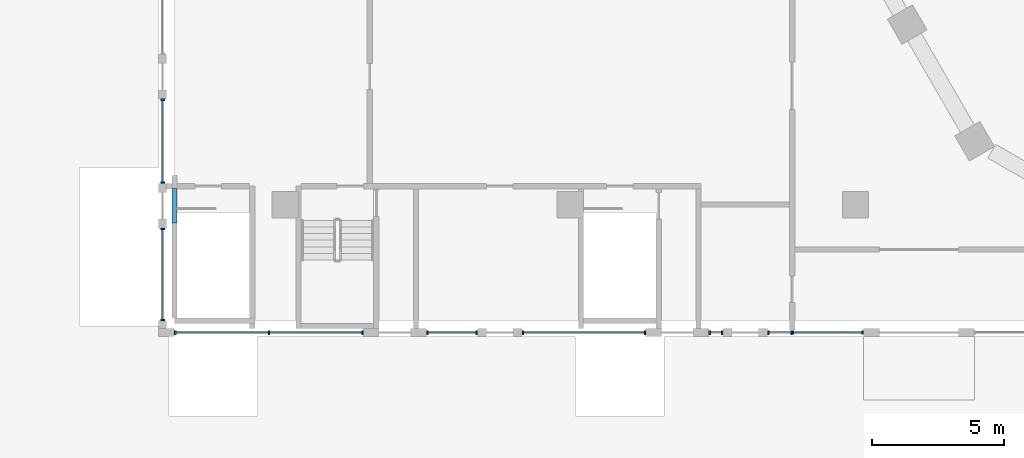
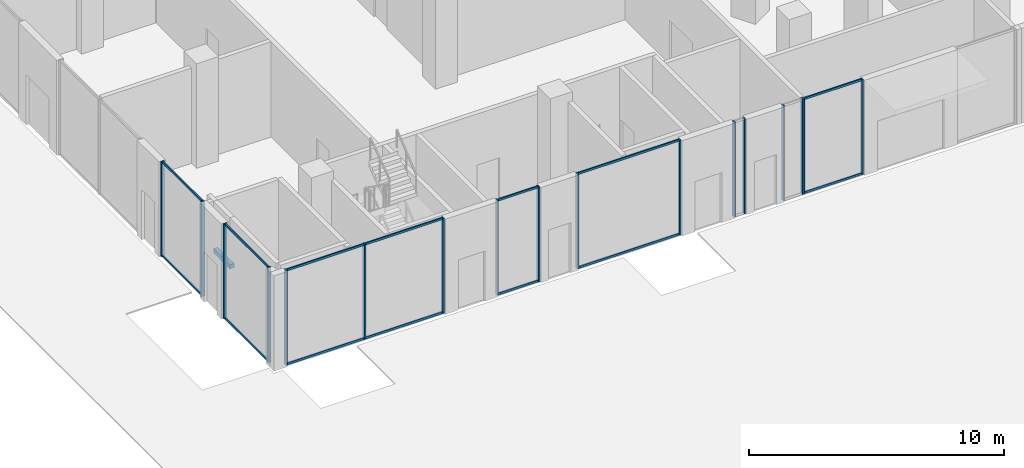
# One storey, part 2 of 57: 31 members, 1 beam, 8 elements without a shape of their own.
"""IFC4 building model written with IfcOpenShell, lengths in metres."""

import ifcopenshell
import ifcopenshell.guid

model = None  # the IFC model being written
_history = None  # IfcOwnerHistory: only IFC2X3 demands one
_inside = {}  # id of a spatial element -> (the spatial element, [elements in it])
_under = {}  # id of a project, library or spatial element -> (it, [spatial elements below it])
_declared = {}  # id of a project -> (the project, [libraries it declares])
_typed = {}  # id of a type object -> (the type object, [elements of that type])
_made_of = {}  # id of a material, layer set ... -> (it, [elements and type objects made of it])


def new_model(schema):
    """Start an empty IFC model of exactly this schema.

    Asked for "IFC4X3", IfcOpenShell would pick the latest addendum, in which some entities
    have other attributes; the version numbers below select the first issue.
    IFC2X3 requires an IfcOwnerHistory on every rooted entity: one is made here for all.
    """
    global model, _history
    if schema == "IFC4X3":
        model = ifcopenshell.file(schema_version=(4, 3, 0, 0))
    else:
        model = ifcopenshell.file(schema=schema)
    _inside.clear()
    _under.clear()
    _declared.clear()
    _typed.clear()
    _made_of.clear()
    _history = None
    if model.schema == "IFC2X3":
        org = make("IfcOrganization", Name="unknown")
        user = make(
            "IfcPersonAndOrganization",
            ThePerson=make("IfcPerson", FamilyName="unknown"),
            TheOrganization=org,
        )
        app = make(
            "IfcApplication",
            ApplicationDeveloper=org,
            Version="unknown",
            ApplicationFullName="unknown",
            ApplicationIdentifier="unknown",
        )
        _history = make(
            "IfcOwnerHistory",
            OwningUser=user,
            OwningApplication=app,
            ChangeAction="ADDED",
            CreationDate=0,
        )
    return model


def make(cls, **values):
    """One entity of the class cls with the attributes given. An attribute that is None is left unset."""
    return model.create_entity(
        cls, **{name: value for name, value in values.items() if value is not None}
    )


def rooted(cls, **values):
    """An entity with a GlobalId (a new one), such as an element, a storey or a relation."""
    return make(cls, GlobalId=ifcopenshell.guid.new(), OwnerHistory=_history, **values)


def si_unit(unit_type, name, prefix=None):
    """IfcSIUnit, for example si_unit("LENGTHUNIT", "METRE", prefix="MILLI")."""
    return make("IfcSIUnit", UnitType=unit_type, Prefix=prefix, Name=name)


def assignment(units):
    """IfcUnitAssignment: the units of a project."""
    return None if units is None else make("IfcUnitAssignment", Units=units)


def point(xyz):
    """IfcCartesianPoint."""
    return None if xyz is None else make("IfcCartesianPoint", Coordinates=xyz)


def direction(xyz):
    """IfcDirection."""
    return None if xyz is None else make("IfcDirection", DirectionRatios=xyz)


def frame(location, z_axis=None, x_axis=None):
    """IfcAxis2Placement3D, a coordinate frame: its origin and axes. An axis left out is left unset."""
    return make(
        "IfcAxis2Placement3D",
        Location=point(location),
        Axis=direction(z_axis),
        RefDirection=direction(x_axis),
    )


def frame_2d(location, x_axis=None):
    """IfcAxis2Placement2D, a coordinate frame in the plane: its origin and x axis."""
    return make(
        "IfcAxis2Placement2D", Location=point(location), RefDirection=direction(x_axis)
    )


def origin():
    """The frame at (0, 0, 0) with its axes left unset."""
    return frame((0.0, 0.0, 0.0))


def origin_2d():
    """The frame at (0, 0) in the plane with its x axis left unset."""
    return frame_2d((0.0, 0.0))


def place(relative_to, where):
    """IfcLocalPlacement: puts the frame where relative to a parent placement (None: the world)."""
    return make(
        "IfcLocalPlacement", PlacementRelTo=relative_to, RelativePlacement=where
    )


def context(
    kind, dimensions, precision=None, world=None, true_north=None, identifier=None
):
    """IfcGeometricRepresentationContext, for example the 3D "Model" context."""
    return make(
        "IfcGeometricRepresentationContext",
        ContextIdentifier=identifier,
        ContextType=kind,
        CoordinateSpaceDimension=dimensions,
        Precision=precision,
        WorldCoordinateSystem=world,
        TrueNorth=true_north,
    )


def subcontext(parent, identifier, kind, view, scale=None):
    """IfcGeometricRepresentationSubContext, for example "Body" below "Model"."""
    return make(
        "IfcGeometricRepresentationSubContext",
        ContextIdentifier=identifier,
        ContextType=kind,
        ParentContext=parent,
        TargetScale=scale,
        TargetView=view,
    )


def project(units=None, contexts=None):
    """IfcProject with its units and contexts."""
    return rooted(
        "IfcProject",
        Name="project",
        RepresentationContexts=contexts,
        UnitsInContext=assignment(units),
    )


def spatial(cls, under=None, at=None, **own):
    """A site, building, storey or space (cls), placed at a placement, below another one or the project."""
    s = rooted(cls, ObjectPlacement=at, **own)
    if under is not None:
        _under.setdefault(under.id(), (under, []))[1].append(s)
    return s


def profile(cls, at=None, kind="AREA", **sizes):
    """A parametric profile (cls). Its sizes go by their IFC names, for example OverallWidth=200.0."""
    return make(cls, ProfileType=kind, Position=at, **sizes)


def rectangle(**sizes):
    """IfcRectangleProfileDef."""
    return profile("IfcRectangleProfileDef", **sizes)


def hollow_rectangle(**sizes):
    """IfcRectangleHollowProfileDef."""
    return profile("IfcRectangleHollowProfileDef", **sizes)


def extrude(swept, where, along, depth):
    """IfcExtrudedAreaSolid: the profile swept, set in the frame where, extruded along a direction by depth."""
    return make(
        "IfcExtrudedAreaSolid",
        SweptArea=swept,
        Position=where,
        ExtrudedDirection=direction(along),
        Depth=depth,
    )


def shape(context_of_items, identifier, shape_type, items):
    """IfcShapeRepresentation: the items that make up one representation, for example the "Body"."""
    return make(
        "IfcShapeRepresentation",
        ContextOfItems=context_of_items,
        RepresentationIdentifier=identifier,
        RepresentationType=shape_type,
        Items=items,
    )


def material(Name=None, Category=None):
    """IfcMaterial."""
    return make("IfcMaterial", Name=Name, Category=Category)


def material_profile(
    of_material, cross_section, Name=None, Category=None, Priority=None
):
    """IfcMaterialProfile: a cross section and its material."""
    return make(
        "IfcMaterialProfile",
        Name=Name,
        Material=of_material,
        Profile=cross_section,
        Priority=Priority,
        Category=Category,
    )


def profile_set(profiles, Name=None, composite=None):
    """IfcMaterialProfileSet."""
    return make(
        "IfcMaterialProfileSet",
        Name=Name,
        MaterialProfiles=profiles,
        CompositeProfile=composite,
    )


def made_of(thing, what):
    """Note that an element or type object is made of a material, layer set ...; save() writes the relation."""
    if what is not None:
        _made_of.setdefault(what.id(), (what, []))[1].append(thing)
    return thing


def type_object(cls, material=None, **own):
    """A type object (cls), such as IfcWallType, which elements share."""
    return made_of(rooted(cls, **own), material)


def element(
    cls,
    number,
    at=None,
    inside=None,
    cuts=None,
    type_object=None,
    material=None,
    context=None,
    identifier="Body",
    shape_type=None,
    held_by="IfcProductDefinitionShape",
    body=None,
    shapes=None,
    **own,
):
    """One element of the class cls, such as IfcWall. Its Tag is "e" and its number.

    at: its placement. inside: the storey or other place that contains it. cuts: it is an
    opening in that element (IfcRelVoidsElement). A single representation is given by context,
    identifier, shape_type and body (its items); several are given by shapes. held_by: the class
    of the entity that holds the representations. save() writes the other relations.
    """
    e = rooted(cls, Tag="e%d" % number, ObjectPlacement=at, **own)
    if body is not None:
        shapes = [shape(context, identifier, shape_type, body)]
    if shapes is not None:
        e.Representation = make(held_by, Representations=shapes)
    if inside is not None:
        _inside.setdefault(inside.id(), (inside, []))[1].append(e)
    if cuts is not None:
        rooted(
            "IfcRelVoidsElement", RelatingBuildingElement=cuts, RelatedOpeningElement=e
        )
    if type_object is not None:
        _typed.setdefault(type_object.id(), (type_object, []))[1].append(e)
    return made_of(e, material)


def aggregate(whole, parts):
    """IfcRelAggregates: a whole, such as a stair, and the parts it consists of."""
    return rooted("IfcRelAggregates", RelatingObject=whole, RelatedObjects=parts)


def save(model, path):
    """Write the relations noted so far, then the file.

    IfcRelAggregates (storeys below a building ...), IfcRelContainedInSpatialStructure (elements
    in a storey), IfcRelDefinesByType, IfcRelAssociatesMaterial and IfcRelDeclares: one each for
    every whole, place, type object, material and project.
    """
    for whole, parts in _under.values():
        aggregate(whole, parts)
    for where, things in _inside.values():
        rooted(
            "IfcRelContainedInSpatialStructure",
            RelatedElements=things,
            RelatingStructure=where,
        )
    for kind, things in _typed.values():
        rooted("IfcRelDefinesByType", RelatedObjects=things, RelatingType=kind)
    for what, things in _made_of.values():
        rooted("IfcRelAssociatesMaterial", RelatedObjects=things, RelatingMaterial=what)
    for by, libraries in _declared.values():
        rooted("IfcRelDeclares", RelatingContext=by, RelatedDefinitions=libraries)
    model.write(path)


model = new_model("IFC4")

# Units and contexts
model_context = context("Model", 3, precision=1e-05, world=origin(), true_north=direction((0.0, 1.0)))
body_context = subcontext(model_context, "Body", "Model", "MODEL_VIEW")
ifc_project = project(units=[si_unit("LENGTHUNIT", "METRE"), si_unit("AREAUNIT", "SQUARE_METRE"), si_unit("VOLUMEUNIT", "CUBIC_METRE"), si_unit("PLANEANGLEUNIT", "RADIAN"), si_unit("MASSUNIT", "GRAM", prefix="KILO")], contexts=[model_context])

# Site, building, storey
site_placement = place(None, origin())
site = spatial("IfcSite", under=ifc_project, at=site_placement, CompositionType="ELEMENT")
building_placement = place(site_placement, origin())
building = spatial("IfcBuilding", under=site, at=building_placement, Name="Beryl Residences", CompositionType="ELEMENT")
storey_placement = place(building_placement, origin())
storey = spatial("IfcBuildingStorey", under=building, at=storey_placement, Name="L00", CompositionType="ELEMENT", Elevation=0.0)

# Curtain wall, members
ifc_material_1 = material(Name="Aluminium and clear glass", Category="aluminium")
curtain_wall_type_1 = type_object("IfcCurtainWallType", Name="CW1 shopfront glazed wall", PredefinedType="NOTDEFINED", material=ifc_material_1)
curtain_wall_1_placement = place(storey_placement, origin())
curtain_wall_1 = element("IfcCurtainWall", 1, at=curtain_wall_1_placement, inside=storey, type_object=curtain_wall_type_1, Name="CW1 L00 S", PredefinedType="NOTDEFINED")
ifc_material_2 = material(Name="Aluminium", Category="aluminium")
ifc_material_profile_1 = material_profile(ifc_material_2, rectangle(XDim=0.06005859375, YDim=0.14990234375, at=origin_2d()))
ifc_profile_set_1 = profile_set([ifc_material_profile_1], Name="Aluminium")
member_type_1 = type_object("IfcMemberType", Name="CW1-M mullion 60 x 150 mm", PredefinedType="MULLION", material=ifc_profile_set_1)
member_1_placement = place(storey_placement, frame((-47.3701171875, -31.85009765625, 0.0), z_axis=(0.0, 0.0, 1.0), x_axis=(1.0, 0.0, 0.0)))
member_1 = element("IfcMember", 2, at=member_1_placement, type_object=member_type_1, Name="CW1 mullion 1", PredefinedType="MULLION", context=body_context, shape_type="SweptSolid", body=[
    extrude(rectangle(XDim=0.06005859375, YDim=0.14990234375, at=origin_2d()), origin(), (0.0, 0.0, 1.0), 4.550048828125),
])
member_2_placement = place(storey_placement, frame((-43.824951171875, -31.85009765625, 0.0), z_axis=(0.0, 0.0, 1.0), x_axis=(1.0, 0.0, 0.0)))
member_2 = element("IfcMember", 3, at=member_2_placement, type_object=member_type_1, Name="CW1 mullion 2", PredefinedType="MULLION", context=body_context, shape_type="SweptSolid", body=[
    extrude(rectangle(XDim=0.06005859375, YDim=0.14990234375, at=origin_2d()), origin(), (0.0, 0.0, 1.0), 4.550048828125),
])
member_3_placement = place(storey_placement, frame((-40.280029296875, -31.85009765625, 0.0), z_axis=(0.0, 0.0, 1.0), x_axis=(1.0, 0.0, 0.0)))
member_3 = element("IfcMember", 4, at=member_3_placement, type_object=member_type_1, Name="CW1 mullion 3", PredefinedType="MULLION", context=body_context, shape_type="SweptSolid", body=[
    extrude(rectangle(XDim=0.06005859375, YDim=0.14990234375, at=origin_2d()), origin(), (0.0, 0.0, 1.0), 4.550048828125),
])

curtain_wall_2_placement = place(storey_placement, origin())
curtain_wall_2 = element("IfcCurtainWall", 5, at=curtain_wall_2_placement, inside=storey, type_object=curtain_wall_type_1, Name="CW1 L00 S", PredefinedType="NOTDEFINED")
member_4_placement = place(storey_placement, frame((-37.820068359375, -31.85009765625, 0.0), z_axis=(0.0, 0.0, 1.0), x_axis=(1.0, 0.0, 0.0)))
member_4 = element("IfcMember", 6, at=member_4_placement, type_object=member_type_1, Name="CW1 mullion 1", PredefinedType="MULLION", context=body_context, shape_type="SweptSolid", body=[
    extrude(rectangle(XDim=0.06005859375, YDim=0.14990234375, at=origin_2d()), origin(), (0.0, 0.0, 1.0), 4.550048828125),
])
member_5_placement = place(storey_placement, frame((-35.955078125, -31.85009765625, 0.0), z_axis=(0.0, 0.0, 1.0), x_axis=(1.0, 0.0, 0.0)))
member_5 = element("IfcMember", 7, at=member_5_placement, type_object=member_type_1, Name="CW1 mullion 2", PredefinedType="MULLION", context=body_context, shape_type="SweptSolid", body=[
    extrude(rectangle(XDim=0.06005859375, YDim=0.14990234375, at=origin_2d()), origin(), (0.0, 0.0, 1.0), 4.550048828125),
])

curtain_wall_3_placement = place(storey_placement, origin())
curtain_wall_3 = element("IfcCurtainWall", 8, at=curtain_wall_3_placement, inside=storey, type_object=curtain_wall_type_1, Name="CW1 L00 S", PredefinedType="NOTDEFINED")
member_6_placement = place(storey_placement, frame((-34.195068359375, -31.85009765625, 0.0), z_axis=(0.0, 0.0, 1.0), x_axis=(1.0, 0.0, 0.0)))
member_6 = element("IfcMember", 9, at=member_6_placement, type_object=member_type_1, Name="CW1 mullion 1", PredefinedType="MULLION", context=body_context, shape_type="SweptSolid", body=[
    extrude(rectangle(XDim=0.06005859375, YDim=0.14990234375, at=origin_2d()), origin(), (0.0, 0.0, 1.0), 4.550048828125),
])
member_7_placement = place(storey_placement, frame((-29.580078125, -31.85009765625, 0.0), z_axis=(0.0, 0.0, 1.0), x_axis=(1.0, 0.0, 0.0)))
member_7 = element("IfcMember", 10, at=member_7_placement, type_object=member_type_1, Name="CW1 mullion 2", PredefinedType="MULLION", context=body_context, shape_type="SweptSolid", body=[
    extrude(rectangle(XDim=0.06005859375, YDim=0.14990234375, at=origin_2d()), origin(), (0.0, 0.0, 1.0), 4.550048828125),
])

curtain_wall_4_placement = place(storey_placement, origin())
curtain_wall_4 = element("IfcCurtainWall", 11, at=curtain_wall_4_placement, inside=storey, type_object=curtain_wall_type_1, Name="CW1 L00 S", PredefinedType="NOTDEFINED")
member_8_placement = place(storey_placement, frame((-27.1201171875, -31.85009765625, 0.0), z_axis=(0.0, 0.0, 1.0), x_axis=(1.0, 0.0, 0.0)))
member_8 = element("IfcMember", 12, at=member_8_placement, type_object=member_type_1, Name="CW1 mullion 1", PredefinedType="MULLION", context=body_context, shape_type="SweptSolid", body=[
    extrude(rectangle(XDim=0.06005859375, YDim=0.14990234375, at=origin_2d()), origin(), (0.0, 0.0, 1.0), 4.550048828125),
])
member_9_placement = place(storey_placement, frame((-26.655029296875, -31.85009765625, 0.0), z_axis=(0.0, 0.0, 1.0), x_axis=(1.0, 0.0, 0.0)))
member_9 = element("IfcMember", 13, at=member_9_placement, type_object=member_type_1, Name="CW1 mullion 2", PredefinedType="MULLION", context=body_context, shape_type="SweptSolid", body=[
    extrude(rectangle(XDim=0.06005859375, YDim=0.14990234375, at=origin_2d()), origin(), (0.0, 0.0, 1.0), 4.550048828125),
])
aggregate(curtain_wall_4, [member_8, member_9])

curtain_wall_5_placement = place(storey_placement, origin())
curtain_wall_5 = element("IfcCurtainWall", 14, at=curtain_wall_5_placement, inside=storey, type_object=curtain_wall_type_1, Name="CW1 L00 S", PredefinedType="NOTDEFINED")
member_10_placement = place(storey_placement, frame((-24.89501953125, -31.85009765625, 0.0), z_axis=(0.0, 0.0, 1.0), x_axis=(1.0, 0.0, 0.0)))
member_10 = element("IfcMember", 15, at=member_10_placement, type_object=member_type_1, Name="CW1 mullion 1", PredefinedType="MULLION", context=body_context, shape_type="SweptSolid", body=[
    extrude(rectangle(XDim=0.06005859375, YDim=0.14990234375, at=origin_2d()), origin(), (0.0, 0.0, 1.0), 4.550048828125),
])
member_11_placement = place(storey_placement, frame((-24.030029296875, -31.85009765625, 0.0), z_axis=(0.0, 0.0, 1.0), x_axis=(1.0, 0.0, 0.0)))
member_11 = element("IfcMember", 16, at=member_11_placement, type_object=member_type_1, Name="CW1 mullion 2", PredefinedType="MULLION", context=body_context, shape_type="SweptSolid", body=[
    extrude(rectangle(XDim=0.06005859375, YDim=0.14990234375, at=origin_2d()), origin(), (0.0, 0.0, 1.0), 4.550048828125),
])
aggregate(curtain_wall_5, [member_10, member_11])

curtain_wall_6_placement = place(storey_placement, origin())
curtain_wall_6 = element("IfcCurtainWall", 17, at=curtain_wall_6_placement, inside=storey, type_object=curtain_wall_type_1, Name="CW1 L00 W", PredefinedType="NOTDEFINED")
member_12_placement = place(storey_placement, frame((-47.85009765625, -23.030029296875, 0.0), z_axis=(0.0, 0.0, 1.0), x_axis=(0.0, -1.0, 0.0)))
member_12 = element("IfcMember", 18, at=member_12_placement, type_object=member_type_1, Name="CW1 mullion 1", PredefinedType="MULLION", context=body_context, shape_type="SweptSolid", body=[
    extrude(rectangle(XDim=0.06005859375, YDim=0.14990234375, at=origin_2d()), origin(), (0.0, 0.0, 1.0), 4.550048828125),
])
member_13_placement = place(storey_placement, frame((-47.85009765625, -26.169921875, 0.0), z_axis=(0.0, 0.0, 1.0), x_axis=(0.0, -1.0, 0.0)))
member_13 = element("IfcMember", 19, at=member_13_placement, type_object=member_type_1, Name="CW1 mullion 2", PredefinedType="MULLION", context=body_context, shape_type="SweptSolid", body=[
    extrude(rectangle(XDim=0.06005859375, YDim=0.14990234375, at=origin_2d()), origin(), (0.0, 0.0, 1.0), 4.550048828125),
])

curtain_wall_7_placement = place(storey_placement, origin())
curtain_wall_7 = element("IfcCurtainWall", 20, at=curtain_wall_7_placement, inside=storey, type_object=curtain_wall_type_1, Name="CW1 L00 W", PredefinedType="NOTDEFINED")
member_14_placement = place(storey_placement, frame((-47.85009765625, -27.929931640625, 0.0), z_axis=(0.0, 0.0, 1.0), x_axis=(0.0, -1.0, 0.0)))
member_14 = element("IfcMember", 21, at=member_14_placement, type_object=member_type_1, Name="CW1 mullion 1", PredefinedType="MULLION", context=body_context, shape_type="SweptSolid", body=[
    extrude(rectangle(XDim=0.06005859375, YDim=0.14990234375, at=origin_2d()), origin(), (0.0, 0.0, 1.0), 4.550048828125),
])
member_15_placement = place(storey_placement, frame((-47.85009765625, -31.3701171875, 0.0), z_axis=(0.0, 0.0, 1.0), x_axis=(0.0, -1.0, 0.0)))
member_15 = element("IfcMember", 22, at=member_15_placement, type_object=member_type_1, Name="CW1 mullion 2", PredefinedType="MULLION", context=body_context, shape_type="SweptSolid", body=[
    extrude(rectangle(XDim=0.06005859375, YDim=0.14990234375, at=origin_2d()), origin(), (0.0, 0.0, 1.0), 4.550048828125),
])

# Member
ifc_material_3 = material(Name="Aluminium", Category="aluminium")
ifc_material_profile_2 = material_profile(ifc_material_3, hollow_rectangle(XDim=0.06005859375, YDim=0.10009765625, WallThickness=0.00390625, at=origin_2d()))
ifc_profile_set_2 = profile_set([ifc_material_profile_2], Name="Aluminium")
member_type_2 = type_object("IfcMemberType", Name="CW1-T transom 60 x 100 mm", PredefinedType="USERDEFINED", material=ifc_profile_set_2)
member_16_placement = place(storey_placement, frame((-47.340087890625, -31.85009765625, 0.030029296875), z_axis=(1.0, 0.0, 0.0), x_axis=(0.0, 1.0, 0.0)))
member_16 = element("IfcMember", 23, at=member_16_placement, type_object=member_type_2, Name="CW1 transom 1.1", ObjectType="TRANSOM", PredefinedType="USERDEFINED", context=body_context, shape_type="SweptSolid", body=[
    extrude(hollow_rectangle(XDim=0.06005859375, YDim=0.10009765625, WallThickness=0.00390625, at=origin_2d()), origin(), (0.0, 0.0, 1.0), 3.485107421875),
])

member_17_placement = place(storey_placement, frame((-47.340087890625, -31.85009765625, 4.52001953125), z_axis=(1.0, 0.0, 0.0), x_axis=(0.0, 1.0, 0.0)))
member_17 = element("IfcMember", 24, at=member_17_placement, type_object=member_type_2, Name="CW1 transom 1.2", ObjectType="TRANSOM", PredefinedType="USERDEFINED", context=body_context, shape_type="SweptSolid", body=[
    extrude(hollow_rectangle(XDim=0.06005859375, YDim=0.10009765625, WallThickness=0.00390625, at=origin_2d()), origin(), (0.0, 0.0, 1.0), 3.485107421875),
])

member_18_placement = place(storey_placement, frame((-43.794921875, -31.85009765625, 0.030029296875), z_axis=(1.0, 0.0, 0.0), x_axis=(0.0, 1.0, 0.0)))
member_18 = element("IfcMember", 25, at=member_18_placement, type_object=member_type_2, Name="CW1 transom 2.1", ObjectType="TRANSOM", PredefinedType="USERDEFINED", context=body_context, shape_type="SweptSolid", body=[
    extrude(hollow_rectangle(XDim=0.06005859375, YDim=0.10009765625, WallThickness=0.00390625, at=origin_2d()), origin(), (0.0, 0.0, 1.0), 3.48486328125),
])

member_19_placement = place(storey_placement, frame((-43.794921875, -31.85009765625, 4.52001953125), z_axis=(1.0, 0.0, 0.0), x_axis=(0.0, 1.0, 0.0)))
member_19 = element("IfcMember", 26, at=member_19_placement, type_object=member_type_2, Name="CW1 transom 2.2", ObjectType="TRANSOM", PredefinedType="USERDEFINED", context=body_context, shape_type="SweptSolid", body=[
    extrude(hollow_rectangle(XDim=0.06005859375, YDim=0.10009765625, WallThickness=0.00390625, at=origin_2d()), origin(), (0.0, 0.0, 1.0), 3.48486328125),
])

aggregate(curtain_wall_1, [member_1, member_2, member_3, member_16, member_17, member_18, member_19])

member_20_placement = place(storey_placement, frame((-37.7900390625, -31.85009765625, 0.030029296875), z_axis=(1.0, 0.0, 0.0), x_axis=(0.0, 1.0, 0.0)))
member_20 = element("IfcMember", 27, at=member_20_placement, type_object=member_type_2, Name="CW1 transom 1.1", ObjectType="TRANSOM", PredefinedType="USERDEFINED", context=body_context, shape_type="SweptSolid", body=[
    extrude(hollow_rectangle(XDim=0.06005859375, YDim=0.10009765625, WallThickness=0.00390625, at=origin_2d()), origin(), (0.0, 0.0, 1.0), 1.804931640625),
])

member_21_placement = place(storey_placement, frame((-37.7900390625, -31.85009765625, 4.52001953125), z_axis=(1.0, 0.0, 0.0), x_axis=(0.0, 1.0, 0.0)))
member_21 = element("IfcMember", 28, at=member_21_placement, type_object=member_type_2, Name="CW1 transom 1.2", ObjectType="TRANSOM", PredefinedType="USERDEFINED", context=body_context, shape_type="SweptSolid", body=[
    extrude(hollow_rectangle(XDim=0.06005859375, YDim=0.10009765625, WallThickness=0.00390625, at=origin_2d()), origin(), (0.0, 0.0, 1.0), 1.804931640625),
])

aggregate(curtain_wall_2, [member_4, member_5, member_20, member_21])

member_22_placement = place(storey_placement, frame((-34.1650390625, -31.85009765625, 0.030029296875), z_axis=(1.0, 0.0, 0.0), x_axis=(0.0, 1.0, 0.0)))
member_22 = element("IfcMember", 29, at=member_22_placement, type_object=member_type_2, Name="CW1 transom 1.1", ObjectType="TRANSOM", PredefinedType="USERDEFINED", context=body_context, shape_type="SweptSolid", body=[
    extrude(hollow_rectangle(XDim=0.06005859375, YDim=0.10009765625, WallThickness=0.00390625, at=origin_2d()), origin(), (0.0, 0.0, 1.0), 4.554931640625),
])

member_23_placement = place(storey_placement, frame((-34.1650390625, -31.85009765625, 4.52001953125), z_axis=(1.0, 0.0, 0.0), x_axis=(0.0, 1.0, 0.0)))
member_23 = element("IfcMember", 30, at=member_23_placement, type_object=member_type_2, Name="CW1 transom 1.2", ObjectType="TRANSOM", PredefinedType="USERDEFINED", context=body_context, shape_type="SweptSolid", body=[
    extrude(hollow_rectangle(XDim=0.06005859375, YDim=0.10009765625, WallThickness=0.00390625, at=origin_2d()), origin(), (0.0, 0.0, 1.0), 4.554931640625),
])

aggregate(curtain_wall_3, [member_6, member_7, member_22, member_23])

member_24_placement = place(storey_placement, frame((-47.85009765625, -23.06005859375, 0.030029296875), z_axis=(0.0, -1.0, 0.0), x_axis=(1.0, 0.0, 0.0)))
member_24 = element("IfcMember", 31, at=member_24_placement, type_object=member_type_2, Name="CW1 transom 1.1", ObjectType="TRANSOM", PredefinedType="USERDEFINED", context=body_context, shape_type="SweptSolid", body=[
    extrude(hollow_rectangle(XDim=0.06005859375, YDim=0.10009765625, WallThickness=0.00390625, at=origin_2d()), origin(), (0.0, 0.0, 1.0), 3.079833984375),
])

member_25_placement = place(storey_placement, frame((-47.85009765625, -23.06005859375, 4.52001953125), z_axis=(0.0, -1.0, 0.0), x_axis=(1.0, 0.0, 0.0)))
member_25 = element("IfcMember", 32, at=member_25_placement, type_object=member_type_2, Name="CW1 transom 1.2", ObjectType="TRANSOM", PredefinedType="USERDEFINED", context=body_context, shape_type="SweptSolid", body=[
    extrude(hollow_rectangle(XDim=0.06005859375, YDim=0.10009765625, WallThickness=0.00390625, at=origin_2d()), origin(), (0.0, 0.0, 1.0), 3.079833984375),
])

aggregate(curtain_wall_6, [member_12, member_13, member_24, member_25])

member_26_placement = place(storey_placement, frame((-47.85009765625, -27.9599609375, 0.030029296875), z_axis=(0.0, -1.0, 0.0), x_axis=(1.0, 0.0, 0.0)))
member_26 = element("IfcMember", 33, at=member_26_placement, type_object=member_type_2, Name="CW1 transom 1.1", ObjectType="TRANSOM", PredefinedType="USERDEFINED", context=body_context, shape_type="SweptSolid", body=[
    extrude(hollow_rectangle(XDim=0.06005859375, YDim=0.10009765625, WallThickness=0.00390625, at=origin_2d()), origin(), (0.0, 0.0, 1.0), 3.380126953125),
])

member_27_placement = place(storey_placement, frame((-47.85009765625, -27.9599609375, 4.52001953125), z_axis=(0.0, -1.0, 0.0), x_axis=(1.0, 0.0, 0.0)))
member_27 = element("IfcMember", 34, at=member_27_placement, type_object=member_type_2, Name="CW1 transom 1.2", ObjectType="TRANSOM", PredefinedType="USERDEFINED", context=body_context, shape_type="SweptSolid", body=[
    extrude(hollow_rectangle(XDim=0.06005859375, YDim=0.10009765625, WallThickness=0.00390625, at=origin_2d()), origin(), (0.0, 0.0, 1.0), 3.380126953125),
])

aggregate(curtain_wall_7, [member_14, member_15, member_26, member_27])

# Curtain wall, members
ifc_material_4 = material(Name="Aluminium and clear glass", Category="aluminium")
curtain_wall_type_2 = type_object("IfcCurtainWallType", Name="CW5 lobby and retail return glazing glazed wall", PredefinedType="NOTDEFINED", material=ifc_material_4)
curtain_wall_8_placement = place(storey_placement, origin())
curtain_wall_8 = element("IfcCurtainWall", 35, at=curtain_wall_8_placement, inside=storey, type_object=curtain_wall_type_2, Name="CW5 L00 S", PredefinedType="NOTDEFINED")
ifc_material_5 = material(Name="Aluminium", Category="aluminium")
ifc_material_profile_3 = material_profile(ifc_material_5, rectangle(XDim=0.06005859375, YDim=0.139892578125, at=origin_2d()))
ifc_profile_set_3 = profile_set([ifc_material_profile_3], Name="Aluminium")
member_type_3 = type_object("IfcMemberType", Name="CW5-M mullion 60 x 140 mm", PredefinedType="MULLION", material=ifc_profile_set_3)
member_28_placement = place(storey_placement, frame((-23.969970703125, -31.85009765625, 0.0), z_axis=(0.0, 0.0, 1.0), x_axis=(1.0, 0.0, 0.0)))
member_28 = element("IfcMember", 36, at=member_28_placement, type_object=member_type_3, Name="CW5 mullion 1", PredefinedType="MULLION", context=body_context, shape_type="SweptSolid", body=[
    extrude(rectangle(XDim=0.06005859375, YDim=0.139892578125, at=origin_2d()), origin(), (0.0, 0.0, 1.0), 4.550048828125),
])
member_29_placement = place(storey_placement, frame((-21.330078125, -31.85009765625, 0.0), z_axis=(0.0, 0.0, 1.0), x_axis=(1.0, 0.0, 0.0)))
member_29 = element("IfcMember", 37, at=member_29_placement, type_object=member_type_3, Name="CW5 mullion 2", PredefinedType="MULLION", context=body_context, shape_type="SweptSolid", body=[
    extrude(rectangle(XDim=0.06005859375, YDim=0.139892578125, at=origin_2d()), origin(), (0.0, 0.0, 1.0), 4.550048828125),
])
ifc_material_6 = material(Name="Aluminium", Category="aluminium")
ifc_material_profile_4 = material_profile(ifc_material_6, hollow_rectangle(XDim=0.06005859375, YDim=0.10009765625, WallThickness=0.00390625, at=origin_2d()))
ifc_profile_set_4 = profile_set([ifc_material_profile_4], Name="Aluminium")
member_type_4 = type_object("IfcMemberType", Name="CW5-T transom 60 x 100 mm", PredefinedType="USERDEFINED", material=ifc_profile_set_4)
member_30_placement = place(storey_placement, frame((-23.93994140625, -31.85009765625, 0.030029296875), z_axis=(1.0, 0.0, 0.0), x_axis=(0.0, 1.0, 0.0)))
member_30 = element("IfcMember", 38, at=member_30_placement, type_object=member_type_4, Name="CW5 transom 1.1", ObjectType="TRANSOM", PredefinedType="USERDEFINED", context=body_context, shape_type="SweptSolid", body=[
    extrude(hollow_rectangle(XDim=0.06005859375, YDim=0.10009765625, WallThickness=0.00390625, at=origin_2d()), origin(), (0.0, 0.0, 1.0), 2.579833984375),
])
member_31_placement = place(storey_placement, frame((-23.93994140625, -31.85009765625, 4.52001953125), z_axis=(1.0, 0.0, 0.0), x_axis=(0.0, 1.0, 0.0)))
member_31 = element("IfcMember", 39, at=member_31_placement, type_object=member_type_4, Name="CW5 transom 1.2", ObjectType="TRANSOM", PredefinedType="USERDEFINED", context=body_context, shape_type="SweptSolid", body=[
    extrude(hollow_rectangle(XDim=0.06005859375, YDim=0.10009765625, WallThickness=0.00390625, at=origin_2d()), origin(), (0.0, 0.0, 1.0), 2.579833984375),
])
aggregate(curtain_wall_8, [member_28, member_29, member_30, member_31])

# Beam
ifc_material_7 = material(Name="Concrete C40/50", Category="concrete")
ifc_material_profile_5 = material_profile(ifc_material_7, rectangle(XDim=0.199951171875, YDim=0.199951171875, at=origin_2d()))
ifc_profile_set_5 = profile_set([ifc_material_profile_5], Name="Concrete C40/50")
beam_type = type_object("IfcBeamType", Name="LB1 lintel beam 200 x 200 mm Concrete C40/50", PredefinedType="LINTEL", material=ifc_profile_set_5)
beam_placement = place(storey_placement, frame((-47.39990234375, -27.699951171875, 2.199951171875), z_axis=(0.0, 1.0, 0.0), x_axis=(-1.0, 0.0, 0.0)))
element("IfcBeam", 40, at=beam_placement, inside=storey, type_object=beam_type, Name="LB1 L00 stair door lintel", PredefinedType="LINTEL", context=body_context, shape_type="SweptSolid", body=[
    extrude(rectangle(XDim=0.199951171875, YDim=0.199951171875, at=origin_2d()), origin(), (0.0, 0.0, 1.0), 1.300048828125),
])

save(model, "model.ifc")
